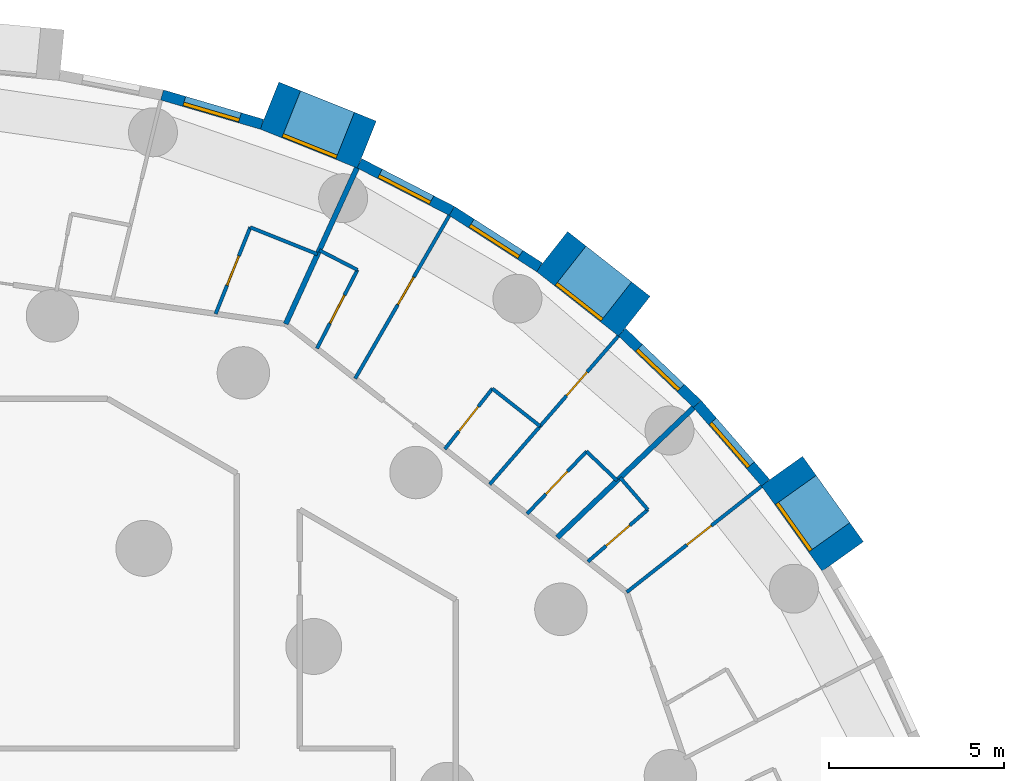
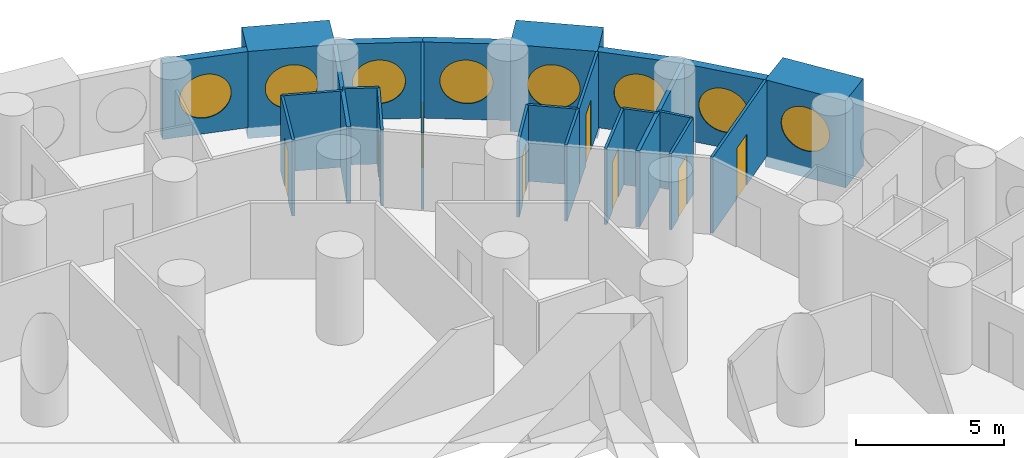
# One storey, part 10 of 12: 24 walls, 8 doors, 8 windows, 16 openings.
"""IFC4 building model written with IfcOpenShell, lengths in metres."""

from ifc_helpers import new_model, si_unit, direction, frame, frame_2d, origin, origin_2d, place, context, subcontext, project, spatial, rectangle, circle, extrude, material, layer, layer_set, type_object, element, fill, save


model = new_model("IFC4")

# Units and contexts
model_context = context("Model", 3, precision=1e-05, world=origin(), true_north=direction((0.0, 1.0)))
body_context = subcontext(model_context, "Body", "Model", "MODEL_VIEW")
ifc_project = project(units=[si_unit("LENGTHUNIT", "METRE"), si_unit("AREAUNIT", "SQUARE_METRE"), si_unit("VOLUMEUNIT", "CUBIC_METRE"), si_unit("PLANEANGLEUNIT", "RADIAN"), si_unit("MASSUNIT", "GRAM", prefix="KILO")], contexts=[model_context])

# Site, building, storey
site_placement = place(None, origin())
site = spatial("IfcSite", under=ifc_project, at=site_placement, CompositionType="ELEMENT")
building_placement = place(site_placement, origin())
building = spatial("IfcBuilding", under=site, at=building_placement, Name="Tracery Tower", CompositionType="ELEMENT")
storey_placement = place(building_placement, frame((0.0, 0.0, 39.0)))
storey = spatial("IfcBuildingStorey", under=building, at=storey_placement, Name="L08", CompositionType="ELEMENT", Elevation=39.0)

# Wall, opening, window
ifc_material_1 = material(Name="Precast concrete C50/60", Category="concrete")
ifc_layer_1 = layer(ifc_material_1, 1.449951171875)
ifc_layer_set_1 = layer_set([ifc_layer_1], Name="Deep-set bay unit 3000 x 3600, slab edge 450")
wall_type_1 = type_object("IfcWallType", Name="Deep-set bay unit 3000 x 3600, slab edge 450", PredefinedType="ELEMENTEDWALL", material=ifc_layer_set_1)
wall_1_placement = place(storey_placement, frame((26.866455078125, 17.2900390625, -0.449951171875), z_axis=(0.0, 0.0, 1.0), x_axis=(-0.580090570606, 0.814551981088, 0.0)))
wall_1 = element("IfcWall", 1, at=wall_1_placement, inside=storey, type_object=wall_type_1, Name="Deep-set bay unit 7 at L08", PredefinedType="ELEMENTEDWALL", context=body_context, shape_type="SweptSolid", body=[
    extrude(rectangle(XDim=3.0, YDim=1.449951171875, at=frame_2d((1.5, 0.0))), origin(), (0.0, 0.0, 1.0), 3.599853515625),
])
opening_1_placement = place(wall_1_placement, frame((1.5, 0.0, 2.0)))
opening_1 = element("IfcOpeningElement", 2, at=opening_1_placement, cuts=wall_1, Name="Opening WN1", PredefinedType="OPENING", context=body_context, shape_type="SweptSolid", body=[
    extrude(circle(Radius=0.9000244140625, at=origin_2d()), frame((0.0, 0.73486328125, 0.0), z_axis=(0.0, -1.0, 0.0), x_axis=(1.0, 0.0, 0.0)), (0.0, 0.0, 1.0), 1.469970703125),
])
ifc_material_2 = material(Name="Aluminium frame with tinted double glazing", Category="aluminium")
window_type = type_object("IfcWindowType", Name="Round window 1800", PartitioningType="SINGLE_PANEL", PredefinedType="WINDOW", material=ifc_material_2)
window_1_placement = place(opening_1_placement, origin())
window_1 = element("IfcWindow", 3, at=window_1_placement, inside=storey, type_object=window_type, Name="Round window 7 at L08", OverallHeight=1.800048828125, OverallWidth=1.800048828125, PartitioningType="SINGLE_PANEL", PredefinedType="WINDOW", context=body_context, shape_type="SweptSolid", body=[
    extrude(circle(Radius=0.9000244140625, at=origin_2d()), frame((0.0, 0.69482421875, 0.0), z_axis=(0.0, -1.0, 0.0), x_axis=(1.0, 0.0, 0.0)), (0.0, 0.0, 1.0), 0.10009765625),
])
fill(opening_1, window_1)

wall_2_placement = place(storey_placement, frame((20.906982421875, 24.15869140625, -0.449951171875), z_axis=(0.0, 0.0, 1.0), x_axis=(-0.786049992888, 0.618162930529, 0.0)))
wall_2 = element("IfcWall", 4, at=wall_2_placement, inside=storey, type_object=wall_type_1, Name="Deep-set bay unit 10 at L08", PredefinedType="ELEMENTEDWALL", context=body_context, shape_type="SweptSolid", body=[
    extrude(rectangle(XDim=3.0, YDim=1.449951171875, at=frame_2d((1.5, 0.0))), origin(), (0.0, 0.0, 1.0), 3.599853515625),
])
opening_2_placement = place(wall_2_placement, frame((1.5, 0.0, 2.0)))
opening_2 = element("IfcOpeningElement", 5, at=opening_2_placement, cuts=wall_2, Name="Opening WN1", PredefinedType="OPENING", context=body_context, shape_type="SweptSolid", body=[
    extrude(circle(Radius=0.9000244140625, at=origin_2d()), frame((0.0, 0.73486328125, 0.0), z_axis=(0.0, -1.0, 0.0), x_axis=(1.0, 0.0, 0.0)), (0.0, 0.0, 1.0), 1.469970703125),
])
window_2_placement = place(opening_2_placement, origin())
window_2 = element("IfcWindow", 6, at=window_2_placement, inside=storey, type_object=window_type, Name="Round window 10 at L08", OverallHeight=1.800048828125, OverallWidth=1.800048828125, PartitioningType="SINGLE_PANEL", PredefinedType="WINDOW", context=body_context, shape_type="SweptSolid", body=[
    extrude(circle(Radius=0.9000244140625, at=origin_2d()), frame((0.0, 0.69482421875, 0.0), z_axis=(0.0, -1.0, 0.0), x_axis=(1.0, 0.0, 0.0)), (0.0, 0.0, 1.0), 0.10009765625),
])
fill(opening_2, window_2)

wall_3_placement = place(storey_placement, frame((13.253662109375, 29.0703125, -0.449951171875), z_axis=(0.0, 0.0, 1.0), x_axis=(-0.928358776184, 0.371685327504, 0.0)))
wall_3 = element("IfcWall", 7, at=wall_3_placement, inside=storey, type_object=wall_type_1, Name="Deep-set bay unit 13 at L08", PredefinedType="ELEMENTEDWALL", context=body_context, shape_type="SweptSolid", body=[
    extrude(rectangle(XDim=2.999755859375, YDim=1.449951171875, at=frame_2d((1.5, 0.0))), origin(), (0.0, 0.0, 1.0), 3.599853515625),
])
opening_3_placement = place(wall_3_placement, frame((1.5, 0.0, 2.0)))
opening_3 = element("IfcOpeningElement", 8, at=opening_3_placement, cuts=wall_3, Name="Opening WN1", PredefinedType="OPENING", context=body_context, shape_type="SweptSolid", body=[
    extrude(circle(Radius=0.9000244140625, at=origin_2d()), frame((0.0, 0.73486328125, 0.0), z_axis=(0.0, -1.0, 0.0), x_axis=(1.0, 0.0, 0.0)), (0.0, 0.0, 1.0), 1.469970703125),
])
window_3_placement = place(opening_3_placement, origin())
window_3 = element("IfcWindow", 9, at=window_3_placement, inside=storey, type_object=window_type, Name="Round window 13 at L08", OverallHeight=1.800048828125, OverallWidth=1.800048828125, PartitioningType="SINGLE_PANEL", PredefinedType="WINDOW", context=body_context, shape_type="SweptSolid", body=[
    extrude(circle(Radius=0.9000244140625, at=origin_2d()), frame((0.0, 0.69482421875, 0.0), z_axis=(0.0, -1.0, 0.0), x_axis=(1.0, 0.0, 0.0)), (0.0, 0.0, 1.0), 0.10009765625),
])
fill(opening_3, window_3)

ifc_material_3 = material(Name="Precast concrete C50/60", Category="concrete")
ifc_layer_2 = layer(ifc_material_3, 0.300048828125)
ifc_layer_set_2 = layer_set([ifc_layer_2], Name="Facade panel 3000 x 3150")
wall_type_2 = type_object("IfcWallType", Name="Facade panel 3000 x 3150", PredefinedType="SOLIDWALL", material=ifc_layer_set_2)
wall_4_placement = place(storey_placement, frame((24.657958984375, 19.39892578125, 0.0), z_axis=(0.0, 0.0, 1.0), x_axis=(-0.654830712471, 0.755775587066, 0.0)))
wall_4 = element("IfcWall", 10, at=wall_4_placement, inside=storey, type_object=wall_type_2, Name="Facade panel 8 at L08", PredefinedType="SOLIDWALL", context=body_context, shape_type="SweptSolid", body=[
    extrude(rectangle(XDim=2.979736328125, YDim=0.300048828125, at=frame_2d((1.48974609375, 0.0))), origin(), (0.0, 0.0, 1.0), 3.14990234375),
])
opening_4_placement = place(wall_4_placement, frame((1.48974609375, 0.0, 1.5498046875)))
opening_4 = element("IfcOpeningElement", 11, at=opening_4_placement, cuts=wall_4, Name="Opening WN1", PredefinedType="OPENING", context=body_context, shape_type="SweptSolid", body=[
    extrude(circle(Radius=0.9000244140625, at=origin_2d()), frame((0.0, 0.159912109375, 0.0), z_axis=(0.0, -1.0, 0.0), x_axis=(1.0, 0.0, 0.0)), (0.0, 0.0, 1.0), 0.320068359375),
])
window_4_placement = place(opening_4_placement, origin())
window_4 = element("IfcWindow", 12, at=window_4_placement, inside=storey, type_object=window_type, Name="Round window 8 at L08", OverallHeight=1.800048828125, OverallWidth=1.800048828125, PartitioningType="SINGLE_PANEL", PredefinedType="WINDOW", context=body_context, shape_type="SweptSolid", body=[
    extrude(circle(Radius=0.9000244140625, at=origin_2d()), frame((0.0, 0.1201171875, 0.0), z_axis=(0.0, -1.0, 0.0), x_axis=(1.0, 0.0, 0.0)), (0.0, 0.0, 1.0), 0.10009765625),
])
fill(opening_4, window_4)

wall_5_placement = place(storey_placement, frame((22.706787109375, 21.65087890625, 0.0), z_axis=(0.0, 0.0, 1.0), x_axis=(-0.723744206617, 0.690068346896, 0.0)))
wall_5 = element("IfcWall", 13, at=wall_5_placement, inside=storey, type_object=wall_type_2, Name="Facade panel 9 at L08", PredefinedType="SOLIDWALL", context=body_context, shape_type="SweptSolid", body=[
    extrude(rectangle(XDim=2.979736328125, YDim=0.300048828125, at=frame_2d((1.48974609375, 0.0))), origin(), (0.0, 0.0, 1.0), 3.14990234375),
])
opening_5_placement = place(wall_5_placement, frame((1.48974609375, 0.0, 1.5498046875)))
opening_5 = element("IfcOpeningElement", 14, at=opening_5_placement, cuts=wall_5, Name="Opening WN1", PredefinedType="OPENING", context=body_context, shape_type="SweptSolid", body=[
    extrude(circle(Radius=0.9000244140625, at=origin_2d()), frame((0.0, 0.159912109375, 0.0), z_axis=(0.0, -1.0, 0.0), x_axis=(1.0, 0.0, 0.0)), (0.0, 0.0, 1.0), 0.320068359375),
])
window_5_placement = place(opening_5_placement, origin())
window_5 = element("IfcWindow", 15, at=window_5_placement, inside=storey, type_object=window_type, Name="Round window 9 at L08", OverallHeight=1.800048828125, OverallWidth=1.800048828125, PartitioningType="SINGLE_PANEL", PredefinedType="WINDOW", context=body_context, shape_type="SweptSolid", body=[
    extrude(circle(Radius=0.9000244140625, at=origin_2d()), frame((0.0, 0.1201171875, 0.0), z_axis=(0.0, -1.0, 0.0), x_axis=(1.0, 0.0, 0.0)), (0.0, 0.0, 1.0), 0.10009765625),
])
fill(opening_5, window_5)

wall_6_placement = place(storey_placement, frame((18.19384765625, 25.56005859375, 0.0), z_axis=(0.0, 0.0, 1.0), x_axis=(-0.84122372879, 0.540687190639, 0.0)))
wall_6 = element("IfcWall", 16, at=wall_6_placement, inside=storey, type_object=wall_type_2, Name="Facade panel 11 at L08", PredefinedType="SOLIDWALL", context=body_context, shape_type="SweptSolid", body=[
    extrude(rectangle(XDim=2.979736328125, YDim=0.300048828125, at=frame_2d((1.48974609375, 0.0))), origin(), (0.0, 0.0, 1.0), 3.14990234375),
])
opening_6_placement = place(wall_6_placement, frame((1.48974609375, 0.0, 1.5498046875)))
opening_6 = element("IfcOpeningElement", 17, at=opening_6_placement, cuts=wall_6, Name="Opening WN1", PredefinedType="OPENING", context=body_context, shape_type="SweptSolid", body=[
    extrude(circle(Radius=0.9000244140625, at=origin_2d()), frame((0.0, 0.159912109375, 0.0), z_axis=(0.0, -1.0, 0.0), x_axis=(1.0, 0.0, 0.0)), (0.0, 0.0, 1.0), 0.320068359375),
])
window_6_placement = place(opening_6_placement, origin())
window_6 = element("IfcWindow", 18, at=window_6_placement, inside=storey, type_object=window_type, Name="Round window 11 at L08", OverallHeight=1.800048828125, OverallWidth=1.800048828125, PartitioningType="SINGLE_PANEL", PredefinedType="WINDOW", context=body_context, shape_type="SweptSolid", body=[
    extrude(circle(Radius=0.9000244140625, at=origin_2d()), frame((0.0, 0.1201171875, 0.0), z_axis=(0.0, -1.0, 0.0), x_axis=(1.0, 0.0, 0.0)), (0.0, 0.0, 1.0), 0.10009765625),
])
fill(opening_6, window_6)

wall_7_placement = place(storey_placement, frame((15.687255859375, 27.171142578125, 0.0), z_axis=(0.0, 0.0, 1.0), x_axis=(-0.888853225096, 0.4581920386, 0.0)))
wall_7 = element("IfcWall", 19, at=wall_7_placement, inside=storey, type_object=wall_type_2, Name="Facade panel 12 at L08", PredefinedType="SOLIDWALL", context=body_context, shape_type="SweptSolid", body=[
    extrude(rectangle(XDim=2.9794921875, YDim=0.300048828125, at=frame_2d((1.48974609375, 0.0))), origin(), (0.0, 0.0, 1.0), 3.14990234375),
])
opening_7_placement = place(wall_7_placement, frame((1.48974609375, 0.0, 1.5498046875)))
opening_7 = element("IfcOpeningElement", 20, at=opening_7_placement, cuts=wall_7, Name="Opening WN1", PredefinedType="OPENING", context=body_context, shape_type="SweptSolid", body=[
    extrude(circle(Radius=0.9000244140625, at=origin_2d()), frame((0.0, 0.159912109375, 0.0), z_axis=(0.0, -1.0, 0.0), x_axis=(1.0, 0.0, 0.0)), (0.0, 0.0, 1.0), 0.320068359375),
])
window_7_placement = place(opening_7_placement, origin())
window_7 = element("IfcWindow", 21, at=window_7_placement, inside=storey, type_object=window_type, Name="Round window 12 at L08", OverallHeight=1.800048828125, OverallWidth=1.800048828125, PartitioningType="SINGLE_PANEL", PredefinedType="WINDOW", context=body_context, shape_type="SweptSolid", body=[
    extrude(circle(Radius=0.9000244140625, at=origin_2d()), frame((0.0, 0.1201171875, 0.0), z_axis=(0.0, -1.0, 0.0), x_axis=(1.0, 0.0, 0.0)), (0.0, 0.0, 1.0), 0.10009765625),
])
fill(opening_7, window_7)

wall_8_placement = place(storey_placement, frame((10.255859375, 29.650634765625, 0.0), z_axis=(0.0, 0.0, 1.0), x_axis=(-0.959507586834, 0.28168278401, 0.0)))
wall_8 = element("IfcWall", 22, at=wall_8_placement, inside=storey, type_object=wall_type_2, Name="Facade panel 14 at L08", PredefinedType="SOLIDWALL", context=body_context, shape_type="SweptSolid", body=[
    extrude(rectangle(XDim=2.979736328125, YDim=0.300048828125, at=frame_2d((1.48974609375, 0.0))), origin(), (0.0, 0.0, 1.0), 3.14990234375),
])
opening_8_placement = place(wall_8_placement, frame((1.48974609375, 0.0, 1.5498046875)))
opening_8 = element("IfcOpeningElement", 23, at=opening_8_placement, cuts=wall_8, Name="Opening WN1", PredefinedType="OPENING", context=body_context, shape_type="SweptSolid", body=[
    extrude(circle(Radius=0.9000244140625, at=origin_2d()), frame((0.0, 0.159912109375, 0.0), z_axis=(0.0, -1.0, 0.0), x_axis=(1.0, 0.0, 0.0)), (0.0, 0.0, 1.0), 0.320068359375),
])
window_8_placement = place(opening_8_placement, origin())
window_8 = element("IfcWindow", 24, at=window_8_placement, inside=storey, type_object=window_type, Name="Round window 14 at L08", OverallHeight=1.800048828125, OverallWidth=1.800048828125, PartitioningType="SINGLE_PANEL", PredefinedType="WINDOW", context=body_context, shape_type="SweptSolid", body=[
    extrude(circle(Radius=0.9000244140625, at=origin_2d()), frame((0.0, 0.1201171875, 0.0), z_axis=(0.0, -1.0, 0.0), x_axis=(1.0, 0.0, 0.0)), (0.0, 0.0, 1.0), 0.10009765625),
])
fill(opening_8, window_8)

# Wall, opening, door
ifc_material_4 = material(Name="Plasterboard on steel studs", Category="steel")
ifc_layer_3 = layer(ifc_material_4, 0.10009765625)
ifc_layer_set_3 = layer_set([ifc_layer_3], Name="Partition 100 stud")
wall_type_3 = type_object("IfcWallType", Name="Partition 100 stud", PredefinedType="PARTITIONING", material=ifc_layer_set_3)
wall_9_placement = place(storey_placement, frame((20.68798828125, 16.26904296875, 0.0), z_axis=(0.0, 0.0, 1.0), x_axis=(0.78599357822, 0.618234660139, 0.0)))
wall_9 = element("IfcWall", 25, at=wall_9_placement, inside=storey, type_object=wall_type_3, Name="Stud partition RA2-073", PredefinedType="PARTITIONING", context=body_context, shape_type="SweptSolid", body=[
    extrude(rectangle(XDim=4.90576171875, YDim=0.10009765625, at=frame_2d((2.452880859375, 0.0))), origin(), (0.0, 0.0, 1.0), 3.14990234375),
])
opening_9_placement = place(wall_9_placement, frame((2.18310546875, 0.0, 0.0)))
opening_9 = element("IfcOpeningElement", 26, at=opening_9_placement, cuts=wall_9, Name="Opening RA2-19", PredefinedType="OPENING", context=body_context, shape_type="SweptSolid", body=[
    extrude(rectangle(XDim=0.89990234375, YDim=2.10009765625, at=frame_2d((0.449951171875, 1.050048828125))), frame((0.0, 0.050048828125, 0.0), z_axis=(0.0, -1.0, 0.0), x_axis=(1.0, 0.0, 0.0)), (0.0, 0.0, 1.0), 0.10009765625),
])
ifc_material_5 = material(Name="Timber door leaf", Category="wood")
door_type_1 = type_object("IfcDoorType", Name="Door bedroom 900", OperationType="NOTDEFINED", PredefinedType="DOOR", material=ifc_material_5)
door_1_placement = place(opening_9_placement, origin())
door_1 = element("IfcDoor", 27, at=door_1_placement, inside=storey, type_object=door_type_1, Name="Bedroom door RA2-19", OperationType="SINGLE_SWING_RIGHT", OverallHeight=2.10009765625, OverallWidth=0.89990234375, PredefinedType="DOOR", context=body_context, shape_type="SweptSolid", body=[
    extrude(rectangle(XDim=0.89990234375, YDim=2.10009765625, at=frame_2d((0.449951171875, 1.050048828125))), frame((0.0, 0.02490234375, 0.0), z_axis=(0.0, -1.0, 0.0), x_axis=(1.0, 0.0, 0.0)), (0.0, 0.0, 1.0), 0.050048828125),
])
fill(opening_9, door_1)

wall_10_placement = place(storey_placement, frame((18.2099609375, 21.01611328125, 0.0), z_axis=(0.0, 0.0, 1.0), x_axis=(0.655012143666, 0.755618350525, 0.0)))
wall_10 = element("IfcWall", 28, at=wall_10_placement, inside=storey, type_object=wall_type_3, Name="Stud partition RA2-082", PredefinedType="PARTITIONING", context=body_context, shape_type="SweptSolid", body=[
    extrude(rectangle(XDim=3.416748046875, YDim=0.10009765625, at=frame_2d((1.70849609375, 0.0))), origin(), (0.0, 0.0, 1.0), 3.14990234375),
])
opening_10_placement = place(wall_10_placement, frame((1.15283203125, 0.0, 0.0)))
opening_10 = element("IfcOpeningElement", 29, at=opening_10_placement, cuts=wall_10, Name="Opening RA2-23", PredefinedType="OPENING", context=body_context, shape_type="SweptSolid", body=[
    extrude(rectangle(XDim=0.89990234375, YDim=2.10009765625, at=frame_2d((0.449951171875, 1.050048828125))), frame((0.0, 0.050048828125, 0.0), z_axis=(0.0, -1.0, 0.0), x_axis=(1.0, 0.0, 0.0)), (0.0, 0.0, 1.0), 0.10009765625),
])
door_2_placement = place(opening_10_placement, origin())
door_2 = element("IfcDoor", 30, at=door_2_placement, inside=storey, type_object=door_type_1, Name="Bedroom door RA2-23", OperationType="SINGLE_SWING_RIGHT", OverallHeight=2.10009765625, OverallWidth=0.89990234375, PredefinedType="DOOR", context=body_context, shape_type="SweptSolid", body=[
    extrude(rectangle(XDim=0.89990234375, YDim=2.10009765625, at=frame_2d((0.449951171875, 1.050048828125))), frame((0.0, 0.02490234375, 0.0), z_axis=(0.0, -1.0, 0.0), x_axis=(1.0, 0.0, 0.0)), (0.0, 0.0, 1.0), 0.050048828125),
])
fill(opening_10, door_2)

wall_11_placement = place(storey_placement, frame((12.919921875, 22.3779296875, 0.0), z_axis=(0.0, 0.0, 1.0), x_axis=(0.49998673258, 0.866033063597, 0.0)))
wall_11 = element("IfcWall", 31, at=wall_11_placement, inside=storey, type_object=wall_type_3, Name="Stud partition RA2-083", PredefinedType="PARTITIONING", context=body_context, shape_type="SweptSolid", body=[
    extrude(rectangle(XDim=5.384521484375, YDim=0.10009765625, at=frame_2d((2.6923828125, 0.0))), origin(), (0.0, 0.0, 1.0), 3.14990234375),
])
opening_11_placement = place(wall_11_placement, frame((2.446044921875, 0.0, 0.0)))
opening_11 = element("IfcOpeningElement", 32, at=opening_11_placement, cuts=wall_11, Name="Opening RA2-25", PredefinedType="OPENING", context=body_context, shape_type="SweptSolid", body=[
    extrude(rectangle(XDim=0.89990234375, YDim=2.10009765625, at=frame_2d((0.449951171875, 1.050048828125))), frame((0.0, 0.050048828125, 0.0), z_axis=(0.0, -1.0, 0.0), x_axis=(1.0, 0.0, 0.0)), (0.0, 0.0, 1.0), 0.10009765625),
])
door_3_placement = place(opening_11_placement, origin())
door_3 = element("IfcDoor", 33, at=door_3_placement, inside=storey, type_object=door_type_1, Name="Bedroom door RA2-25", OperationType="SINGLE_SWING_RIGHT", OverallHeight=2.10009765625, OverallWidth=0.89990234375, PredefinedType="DOOR", context=body_context, shape_type="SweptSolid", body=[
    extrude(rectangle(XDim=0.89990234375, YDim=2.10009765625, at=frame_2d((0.449951171875, 1.050048828125))), frame((0.0, 0.02490234375, 0.0), z_axis=(0.0, -1.0, 0.0), x_axis=(1.0, 0.0, 0.0)), (0.0, 0.0, 1.0), 0.050048828125),
])
fill(opening_11, door_3)

ifc_material_6 = material(Name="Plasterboard on steel studs", Category="steel")
ifc_layer_4 = layer(ifc_material_6, 0.10009765625)
ifc_layer_set_4 = layer_set([ifc_layer_4], Name="Partition 100 wet wall")
wall_type_4 = type_object("IfcWallType", Name="Partition 100 wet wall", PredefinedType="PARTITIONING", material=ifc_layer_set_4)
wall_12_placement = place(storey_placement, frame((19.576904296875, 17.14306640625, 0.0), z_axis=(0.0, 0.0, 1.0), x_axis=(0.755813315469, 0.654787165543, 0.0)))
wall_12 = element("IfcWall", 34, at=wall_12_placement, inside=storey, type_object=wall_type_4, Name="Wet wall RA2-077", PredefinedType="PARTITIONING", context=body_context, shape_type="SweptSolid", body=[
    extrude(rectangle(XDim=2.269287109375, YDim=0.10009765625, at=frame_2d((1.134765625, 0.0))), origin(), (0.0, 0.0, 1.0), 3.14990234375),
])
opening_12_placement = place(wall_12_placement, frame((0.68505859375, 0.0, 0.0)))
opening_12 = element("IfcOpeningElement", 35, at=opening_12_placement, cuts=wall_12, Name="Opening RA2-20", PredefinedType="OPENING", context=body_context, shape_type="SweptSolid", body=[
    extrude(rectangle(XDim=0.89990234375, YDim=2.0400390625, at=frame_2d((0.449951171875, 1.02001953125))), frame((0.0, 0.050048828125, 0.0), z_axis=(0.0, -1.0, 0.0), x_axis=(1.0, 0.0, 0.0)), (0.0, 0.0, 1.0), 0.10009765625),
])
ifc_material_7 = material(Name="Timber door leaf", Category="wood")
door_type_2 = type_object("IfcDoorType", Name="Door en-suite 900", OperationType="NOTDEFINED", PredefinedType="DOOR", material=ifc_material_7)
door_4_placement = place(opening_12_placement, origin())
door_4 = element("IfcDoor", 36, at=door_4_placement, inside=storey, type_object=door_type_2, Name="En-suite door RA2-20", OperationType="SINGLE_SWING_RIGHT", OverallHeight=2.0400390625, OverallWidth=0.89990234375, PredefinedType="DOOR", context=body_context, shape_type="SweptSolid", body=[
    extrude(rectangle(XDim=0.89990234375, YDim=2.0400390625, at=frame_2d((0.449951171875, 1.02001953125))), frame((0.0, 0.02490234375, 0.0), z_axis=(0.0, -1.0, 0.0), x_axis=(1.0, 0.0, 0.0)), (0.0, 0.0, 1.0), 0.050048828125),
])
fill(opening_12, door_4)

# Walls
wall_13_placement = place(storey_placement, frame((20.4990234375, 19.544921875, 0.0), z_axis=(0.0, 0.0, 1.0), x_axis=(0.654500819756, -0.756061291787, 0.0)))
element("IfcWall", 37, at=wall_13_placement, inside=storey, type_object=wall_type_4, Name="Wet wall RA2-078", PredefinedType="PARTITIONING", context=body_context, shape_type="SweptSolid", body=[
    extrude(rectangle(XDim=1.211669921875, YDim=0.10009765625, at=frame_2d((0.60595703125, 0.0))), origin(), (0.0, 0.0, 1.0), 3.14990234375),
])
wall_14_placement = place(storey_placement, frame((16.844970703125, 22.090087890625, 0.0), z_axis=(0.0, 0.0, 1.0), x_axis=(0.785903559082, -0.618349088964, 0.0)))
element("IfcWall", 38, at=wall_14_placement, inside=storey, type_object=wall_type_4, Name="Wet wall RA2-080", PredefinedType="PARTITIONING", context=body_context, shape_type="SweptSolid", body=[
    extrude(rectangle(XDim=1.73681640625, YDim=0.10009765625, at=frame_2d((0.868408203125, 0.0))), origin(), (0.0, 0.0, 1.0), 3.14990234375),
])

# Wall, opening, door
wall_15_placement = place(storey_placement, frame((15.485107421875, 20.361083984375, 0.0), z_axis=(0.0, 0.0, 1.0), x_axis=(0.618203810204, 0.786017842704, 0.0)))
wall_15 = element("IfcWall", 39, at=wall_15_placement, inside=storey, type_object=wall_type_4, Name="Wet wall RA2-081", PredefinedType="PARTITIONING", context=body_context, shape_type="SweptSolid", body=[
    extrude(rectangle(XDim=2.19970703125, YDim=0.10009765625, at=frame_2d((1.099853515625, 0.0))), origin(), (0.0, 0.0, 1.0), 3.14990234375),
])
opening_13_placement = place(wall_15_placement, frame((0.64990234375, 0.0, 0.0)))
opening_13 = element("IfcOpeningElement", 40, at=opening_13_placement, cuts=wall_15, Name="Opening RA2-22", PredefinedType="OPENING", context=body_context, shape_type="SweptSolid", body=[
    extrude(rectangle(XDim=0.89990234375, YDim=2.0, at=frame_2d((0.449951171875, 1.0))), frame((0.0, 0.050048828125, 0.0), z_axis=(0.0, -1.0, 0.0), x_axis=(1.0, 0.0, 0.0)), (0.0, 0.0, 1.0), 0.10009765625),
])
ifc_material_8 = material(Name="Timber door leaf", Category="wood")
door_type_3 = type_object("IfcDoorType", Name="Door shower room 900", OperationType="NOTDEFINED", PredefinedType="DOOR", material=ifc_material_8)
door_5_placement = place(opening_13_placement, origin())
door_5 = element("IfcDoor", 41, at=door_5_placement, inside=storey, type_object=door_type_3, Name="Shower room door RA2-22", OperationType="SINGLE_SWING_RIGHT", OverallHeight=2.0, OverallWidth=0.89990234375, PredefinedType="DOOR", context=body_context, shape_type="SweptSolid", body=[
    extrude(rectangle(XDim=0.89990234375, YDim=2.0, at=frame_2d((0.449951171875, 1.0))), frame((0.0, 0.02490234375, 0.0), z_axis=(0.0, -1.0, 0.0), x_axis=(1.0, 0.0, 0.0)), (0.0, 0.0, 1.0), 0.050048828125),
])
fill(opening_13, door_5)

# Walls
wall_16_placement = place(storey_placement, frame((16.76806640625, 19.35205078125, 0.0), z_axis=(0.0, 0.0, 1.0), x_axis=(0.654854551667, 0.755754931284, 0.0)))
element("IfcWall", 42, at=wall_16_placement, inside=storey, type_object=wall_type_4, Name="Wet wall RA2-084", PredefinedType="PARTITIONING", context=body_context, shape_type="SweptSolid", body=[
    extrude(rectangle(XDim=2.201904296875, YDim=0.10009765625, at=frame_2d((1.10107421875, 0.0))), origin(), (0.0, 0.0, 1.0), 3.14990234375),
])
wall_17_placement = place(storey_placement, frame((19.5380859375, 20.2939453125, 0.0), z_axis=(0.0, 0.0, 1.0), x_axis=(0.723810439605, -0.689998875013, 0.0)))
element("IfcWall", 43, at=wall_17_placement, inside=storey, type_object=wall_type_4, Name="Wet wall RA2-085", PredefinedType="PARTITIONING", context=body_context, shape_type="SweptSolid", body=[
    extrude(rectangle(XDim=1.205810546875, YDim=0.10009765625, at=frame_2d((0.60302734375, 0.0))), origin(), (0.0, 0.0, 1.0), 3.14990234375),
])

# Wall, opening, door
wall_18_placement = place(storey_placement, frame((17.8369140625, 18.510986328125, 0.0), z_axis=(0.0, 0.0, 1.0), x_axis=(0.690317861289, 0.723506220005, 0.0)))
wall_18 = element("IfcWall", 44, at=wall_18_placement, inside=storey, type_object=wall_type_4, Name="Wet wall RA2-086", PredefinedType="PARTITIONING", context=body_context, shape_type="SweptSolid", body=[
    extrude(rectangle(XDim=2.46435546875, YDim=0.10009765625, at=frame_2d((1.232177734375, 0.0))), origin(), (0.0, 0.0, 1.0), 3.14990234375),
])
opening_14_placement = place(wall_18_placement, frame((0.7822265625, 0.0, 0.0)))
opening_14 = element("IfcOpeningElement", 45, at=opening_14_placement, cuts=wall_18, Name="Opening RA2-24", PredefinedType="OPENING", context=body_context, shape_type="SweptSolid", body=[
    extrude(rectangle(XDim=0.89990234375, YDim=2.0400390625, at=frame_2d((0.449951171875, 1.02001953125))), frame((0.0, 0.050048828125, 0.0), z_axis=(0.0, -1.0, 0.0), x_axis=(1.0, 0.0, 0.0)), (0.0, 0.0, 1.0), 0.10009765625),
])
door_6_placement = place(opening_14_placement, origin())
door_6 = element("IfcDoor", 46, at=door_6_placement, inside=storey, type_object=door_type_2, Name="En-suite door RA2-24", OperationType="SINGLE_SWING_LEFT", OverallHeight=2.0400390625, OverallWidth=0.89990234375, PredefinedType="DOOR", context=body_context, shape_type="SweptSolid", body=[
    extrude(rectangle(XDim=0.89990234375, YDim=2.0400390625, at=frame_2d((0.449951171875, 1.02001953125))), frame((0.0, 0.02490234375, 0.0), z_axis=(0.0, -1.0, 0.0), x_axis=(1.0, 0.0, 0.0)), (0.0, 0.0, 1.0), 0.050048828125),
])
fill(opening_14, door_6)

wall_19_placement = place(storey_placement, frame((11.826904296875, 23.237060546875, 0.0), z_axis=(0.0, 0.0, 1.0), x_axis=(0.45814144004, 0.888879306159, 0.0)))
wall_19 = element("IfcWall", 47, at=wall_19_placement, inside=storey, type_object=wall_type_4, Name="Wet wall RA2-087", PredefinedType="PARTITIONING", context=body_context, shape_type="SweptSolid", body=[
    extrude(rectangle(XDim=2.5302734375, YDim=0.10009765625, at=frame_2d((1.26513671875, 0.0))), origin(), (0.0, 0.0, 1.0), 3.14990234375),
])
opening_15_placement = place(wall_19_placement, frame((0.81494140625, 0.0, 0.0)))
opening_15 = element("IfcOpeningElement", 48, at=opening_15_placement, cuts=wall_19, Name="Opening RA2-26", PredefinedType="OPENING", context=body_context, shape_type="SweptSolid", body=[
    extrude(rectangle(XDim=0.89990234375, YDim=2.0400390625, at=frame_2d((0.449951171875, 1.02001953125))), frame((0.0, 0.050048828125, 0.0), z_axis=(0.0, -1.0, 0.0), x_axis=(1.0, 0.0, 0.0)), (0.0, 0.0, 1.0), 0.10009765625),
])
door_7_placement = place(opening_15_placement, origin())
door_7 = element("IfcDoor", 49, at=door_7_placement, inside=storey, type_object=door_type_2, Name="En-suite door RA2-26", OperationType="SINGLE_SWING_LEFT", OverallHeight=2.0400390625, OverallWidth=0.89990234375, PredefinedType="DOOR", context=body_context, shape_type="SweptSolid", body=[
    extrude(rectangle(XDim=0.89990234375, YDim=2.0400390625, at=frame_2d((0.449951171875, 1.02001953125))), frame((0.0, 0.02490234375, 0.0), z_axis=(0.0, -1.0, 0.0), x_axis=(1.0, 0.0, 0.0)), (0.0, 0.0, 1.0), 0.050048828125),
])
fill(opening_15, door_7)

# Walls
wall_20_placement = place(storey_placement, frame((11.89599609375, 26.048095703125, 0.0), z_axis=(0.0, 0.0, 1.0), x_axis=(0.888824704595, -0.458247361697, 0.0)))
element("IfcWall", 50, at=wall_20_placement, inside=storey, type_object=wall_type_4, Name="Wet wall RA2-088", PredefinedType="PARTITIONING", context=body_context, shape_type="SweptSolid", body=[
    extrude(rectangle(XDim=1.226318359375, YDim=0.10009765625, at=frame_2d((0.61328125, 0.0))), origin(), (0.0, 0.0, 1.0), 3.14990234375),
])
wall_21_placement = place(storey_placement, frame((9.9208984375, 26.7041015625, 0.0), z_axis=(0.0, 0.0, 1.0), x_axis=(0.928346586681, -0.37171577179, 0.0)))
element("IfcWall", 51, at=wall_21_placement, inside=storey, type_object=wall_type_4, Name="Wet wall RA2-096", PredefinedType="PARTITIONING", context=body_context, shape_type="SweptSolid", body=[
    extrude(rectangle(XDim=2.071533203125, YDim=0.10009765625, at=frame_2d((1.03564453125, 0.0))), origin(), (0.0, 0.0, 1.0), 3.14990234375),
])

# Wall, opening, door
wall_22_placement = place(storey_placement, frame((8.929931640625, 24.22802734375, 0.0), z_axis=(0.0, 0.0, 1.0), x_axis=(0.371564281805, 0.928407229876, 0.0)))
wall_22 = element("IfcWall", 52, at=wall_22_placement, inside=storey, type_object=wall_type_4, Name="Wet wall RA2-097", PredefinedType="PARTITIONING", context=body_context, shape_type="SweptSolid", body=[
    extrude(rectangle(XDim=2.6669921875, YDim=0.10009765625, at=frame_2d((1.33349609375, 0.0))), origin(), (0.0, 0.0, 1.0), 3.14990234375),
])
opening_16_placement = place(wall_22_placement, frame((0.884033203125, 0.0, 0.0)))
opening_16 = element("IfcOpeningElement", 53, at=opening_16_placement, cuts=wall_22, Name="Opening RA2-31", PredefinedType="OPENING", context=body_context, shape_type="SweptSolid", body=[
    extrude(rectangle(XDim=0.89990234375, YDim=2.0400390625, at=frame_2d((0.449951171875, 1.02001953125))), frame((0.0, 0.050048828125, 0.0), z_axis=(0.0, -1.0, 0.0), x_axis=(1.0, 0.0, 0.0)), (0.0, 0.0, 1.0), 0.10009765625),
])
door_8_placement = place(opening_16_placement, origin())
door_8 = element("IfcDoor", 54, at=door_8_placement, inside=storey, type_object=door_type_2, Name="En-suite door RA2-31", OperationType="SINGLE_SWING_LEFT", OverallHeight=2.0400390625, OverallWidth=0.89990234375, PredefinedType="DOOR", context=body_context, shape_type="SweptSolid", body=[
    extrude(rectangle(XDim=0.89990234375, YDim=2.0400390625, at=frame_2d((0.449951171875, 1.02001953125))), frame((0.0, 0.02490234375, 0.0), z_axis=(0.0, -1.0, 0.0), x_axis=(1.0, 0.0, 0.0)), (0.0, 0.0, 1.0), 0.050048828125),
])
fill(opening_16, door_8)

# Walls
ifc_material_9 = material(Name="Plasterboard on steel studs", Category="steel")
ifc_layer_5 = layer(ifc_material_9, 0.14990234375)
ifc_layer_set_5 = layer_set([ifc_layer_5], Name="Partition 150 acoustic unit wall")
wall_type_5 = type_object("IfcWallType", Name="Partition 150 acoustic unit wall", PredefinedType="PARTITIONING", material=ifc_layer_set_5)
wall_23_placement = place(storey_placement, frame((18.701904296875, 17.8310546875, 0.0), z_axis=(0.0, 0.0, 1.0), x_axis=(0.723619032975, 0.690199605271, 0.0)))
element("IfcWall", 55, at=wall_23_placement, inside=storey, type_object=wall_type_5, Name="Unit wall RA2-079", PredefinedType="PARTITIONING", context=body_context, shape_type="SweptSolid", body=[
    extrude(rectangle(XDim=5.384033203125, YDim=0.14990234375, at=frame_2d((2.69189453125, 0.0))), origin(), (0.0, 0.0, 1.0), 3.14990234375),
])
wall_24_placement = place(storey_placement, frame((10.93359375, 23.939697265625, 0.0), z_axis=(0.0, 0.0, 1.0), x_axis=(0.415245800153, 0.909709253254, 0.0)))
element("IfcWall", 56, at=wall_24_placement, inside=storey, type_object=wall_type_5, Name="Unit wall RA2-089", PredefinedType="PARTITIONING", context=body_context, shape_type="SweptSolid", body=[
    extrude(rectangle(XDim=4.906494140625, YDim=0.14990234375, at=frame_2d((2.453125, 0.0))), origin(), (0.0, 0.0, 1.0), 3.14990234375),
])

save(model, "model.ifc")
